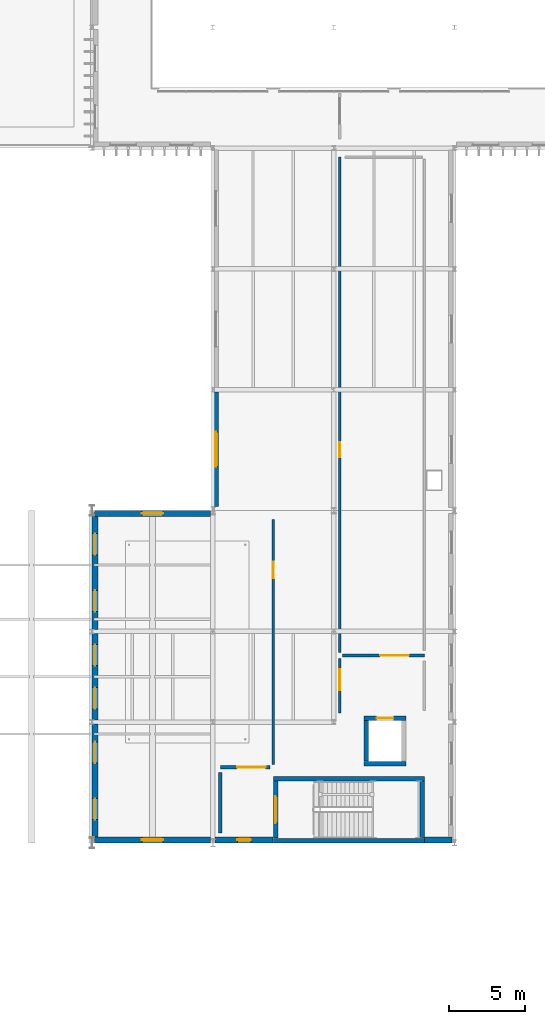
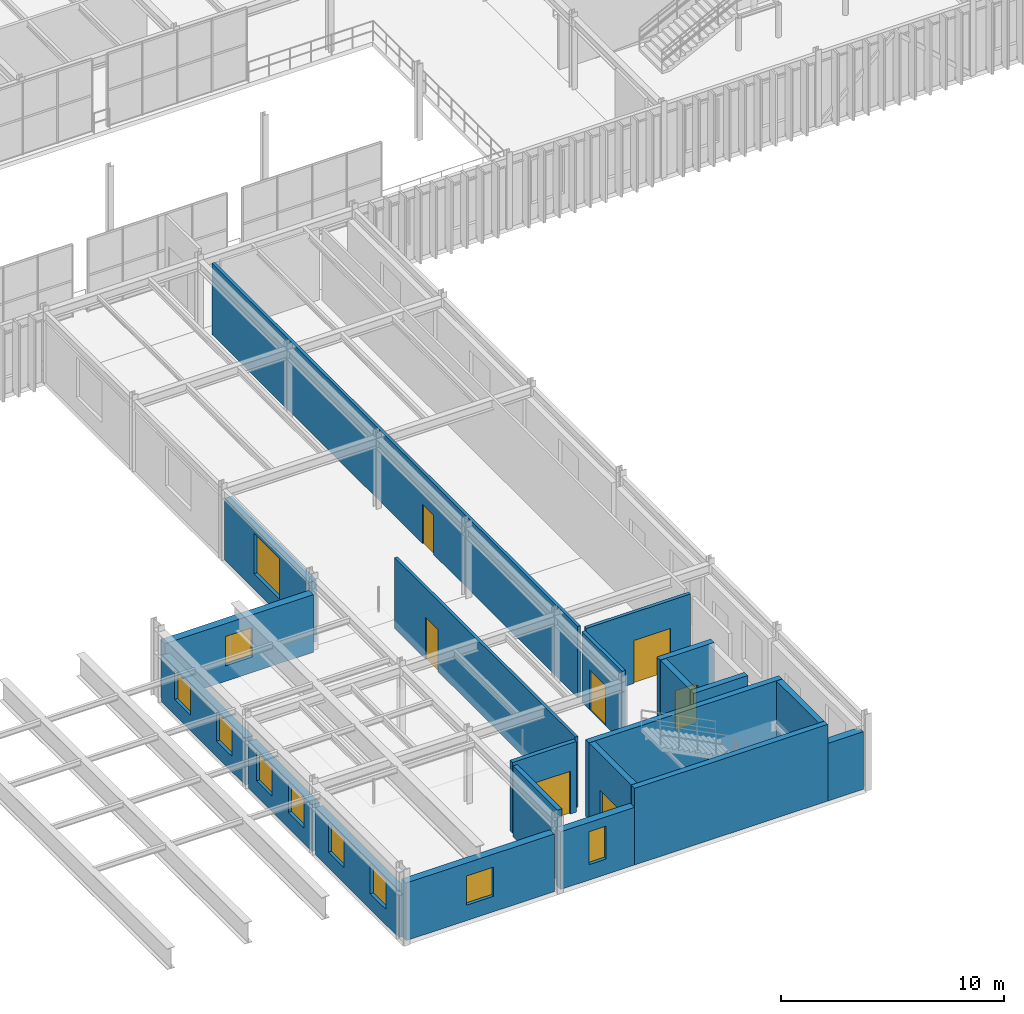
# One storey, part 82 of 122: 21 walls, 10 windows, 7 doors, 17 openings.
"""IFC4 building model written with IfcOpenShell, lengths in metres."""

from ifc_helpers import new_model, si_unit, direction, frame, frame_2d, origin, place, context, subcontext, project, spatial, rectangle, extrude, material, layer, layer_set, type_object, element, fill, save


model = new_model("IFC4")

# Units and contexts
model_context = context("Model", 3, precision=1e-05, world=origin(), true_north=direction((0.0, 1.0)))
body_context = subcontext(model_context, "Body", "Model", "MODEL_VIEW")
ifc_project = project(units=[si_unit("LENGTHUNIT", "METRE"), si_unit("AREAUNIT", "SQUARE_METRE"), si_unit("VOLUMEUNIT", "CUBIC_METRE"), si_unit("PLANEANGLEUNIT", "RADIAN"), si_unit("MASSUNIT", "GRAM", prefix="KILO")], contexts=[model_context])

# Site, building, storey
site_placement = place(None, origin())
site = spatial("IfcSite", under=ifc_project, at=site_placement, CompositionType="ELEMENT")
building_placement = place(site_placement, origin())
building = spatial("IfcBuilding", under=site, at=building_placement, Name="Sundkrona Museum", CompositionType="ELEMENT")
storey_placement = place(building_placement, frame((0.0, 0.0, 5.39990234375)))
storey = spatial("IfcBuildingStorey", under=building, at=storey_placement, Name="L01", CompositionType="ELEMENT", Elevation=5.39990234375)

# Walls
ifc_material_1 = material(Name="Concrete C40/50", Category="concrete")
ifc_layer_1 = layer(ifc_material_1, 0.300048828125)
ifc_layer_set_1 = layer_set([ifc_layer_1], Name="Concrete C40/50")
wall_type_1 = type_object("IfcWallType", Name="W-CORE-300", PredefinedType="SHEAR", material=ifc_layer_set_1)
for number, where, z_axis, x_axis, name in (
    (1, (28.0, 32.14990234375, 0.0), (0.0, 0.0, 1.0), (1.0, 0.0, 0.0), "L01 ST-4 Core Shear Wall South"),
    (2, (28.0, 36.25, 0.0), (0.0, 0.0, 1.0), (1.0, 0.0, 0.0), "L01 ST-4 Core Shear Wall North"),
):
    element("IfcWall", number, at=place(storey_placement, frame(where, z_axis=z_axis, x_axis=x_axis)), inside=storey, type_object=wall_type_1, Name=name, PredefinedType="SHEAR", context=body_context, shape_type="SweptSolid", body=[
        extrude(rectangle(XDim=10.0, YDim=0.300048828125, at=frame_2d((5.0, 0.0))), origin(), (0.0, 0.0, 1.0), 4.2001953125),
    ])

# Wall, opening, door
wall_1_placement = place(storey_placement, frame((28.14990234375, 32.31005859375, 0.0), z_axis=(0.0, 0.0, 1.0), x_axis=(0.0, 1.0, 0.0)))
wall_1 = element("IfcWall", 3, at=wall_1_placement, inside=storey, type_object=wall_type_1, Name="L01 ST-4 Core Shear Wall West", PredefinedType="SHEAR", context=body_context, shape_type="SweptSolid", body=[
    extrude(rectangle(XDim=3.780029296875, YDim=0.300048828125, at=frame_2d((1.89013671875, 0.0))), origin(), (0.0, 0.0, 1.0), 4.2001953125),
])
opening_1_placement = place(wall_1_placement, frame((0.989990234375, 0.0, 0.0)))
opening_1 = element("IfcOpeningElement", 4, at=opening_1_placement, cuts=wall_1, Name="Opening D-FD60", PredefinedType="OPENING", context=body_context, shape_type="SweptSolid", body=[
    extrude(rectangle(XDim=1.800048828125, YDim=2.199951171875, at=frame_2d((0.89990234375, 1.10009765625))), frame((0.0, 0.159912109375, 0.0), z_axis=(0.0, -1.0, 0.0), x_axis=(1.0, 0.0, 0.0)), (0.0, 0.0, 1.0), 0.320068359375),
])
ifc_material_2 = material(Name="Steel S355J2 Fire Door Leaf", Category="steel")
door_type_1 = type_object("IfcDoorType", Name="D-FD60", OperationType="DOUBLE_DOOR_SINGLE_SWING", PredefinedType="DOOR", material=ifc_material_2)
door_1_placement = place(opening_1_placement, origin())
door_1 = element("IfcDoor", 5, at=door_1_placement, inside=storey, type_object=door_type_1, Name="L01 ST-4 Protected Escape Stair Door DR-ST-4-L01", OperationType="DOUBLE_DOOR_SINGLE_SWING", OverallHeight=2.199951171875, OverallWidth=1.800048828125, PredefinedType="DOOR", context=body_context, shape_type="SweptSolid", body=[
    extrude(rectangle(XDim=1.800048828125, YDim=2.199951171875, at=frame_2d((0.89990234375, 1.10009765625))), frame((0.0, 0.02490234375, 0.0), z_axis=(0.0, -1.0, 0.0), x_axis=(1.0, 0.0, 0.0)), (0.0, 0.0, 1.0), 0.050048828125),
])
fill(opening_1, door_1)

# Walls
wall_2_placement = place(storey_placement, frame((37.85009765625, 32.31005859375, 0.0), z_axis=(0.0, 0.0, 1.0), x_axis=(0.0, 1.0, 0.0)))
element("IfcWall", 6, at=wall_2_placement, inside=storey, type_object=wall_type_1, Name="L01 ST-4 Core Shear Wall East", PredefinedType="SHEAR", context=body_context, shape_type="SweptSolid", body=[
    extrude(rectangle(XDim=3.780029296875, YDim=0.300048828125, at=frame_2d((1.89013671875, 0.0))), origin(), (0.0, 0.0, 1.0), 4.2001953125),
])
wall_3_placement = place(storey_placement, frame((34.0, 37.25, 0.0), z_axis=(0.0, 0.0, 1.0), x_axis=(1.0, 0.0, 0.0)))
element("IfcWall", 7, at=wall_3_placement, inside=storey, type_object=wall_type_1, Name="L01 PL-4 Lift Shaft Wall South", PredefinedType="SHEAR", context=body_context, shape_type="SweptSolid", body=[
    extrude(rectangle(XDim=2.800048828125, YDim=0.300048828125, at=frame_2d((1.39990234375, 0.0))), origin(), (0.0, 0.0, 1.0), 4.2001953125),
])

# Wall, opening, door
wall_4_placement = place(storey_placement, frame((34.0, 40.25, 0.0), z_axis=(0.0, 0.0, 1.0), x_axis=(1.0, 0.0, 0.0)))
wall_4 = element("IfcWall", 8, at=wall_4_placement, inside=storey, type_object=wall_type_1, Name="L01 PL-4 Lift Shaft Wall North", PredefinedType="SHEAR", context=body_context, shape_type="SweptSolid", body=[
    extrude(rectangle(XDim=2.800048828125, YDim=0.300048828125, at=frame_2d((1.39990234375, 0.0))), origin(), (0.0, 0.0, 1.0), 4.2001953125),
])
opening_2_placement = place(wall_4_placement, frame((0.85009765625, 0.0, 0.0)))
opening_2 = element("IfcOpeningElement", 9, at=opening_2_placement, cuts=wall_4, Name="Opening LD-01", PredefinedType="OPENING", context=body_context, shape_type="SweptSolid", body=[
    extrude(rectangle(XDim=1.10009765625, YDim=2.14990234375, at=frame_2d((0.550048828125, 1.074951171875))), frame((0.0, 0.159912109375, 0.0), z_axis=(0.0, -1.0, 0.0), x_axis=(1.0, 0.0, 0.0)), (0.0, 0.0, 1.0), 0.320068359375),
])
ifc_material_3 = material(Name="Brushed Stainless Steel Lift Door", Category="steel")
door_type_2 = type_object("IfcDoorType", Name="LD-01", OperationType="SLIDING_TO_LEFT", PredefinedType="DOOR", material=ifc_material_3)
door_2_placement = place(opening_2_placement, origin())
door_2 = element("IfcDoor", 10, at=door_2_placement, inside=storey, type_object=door_type_2, Name="L01 West Pavilion Passenger Lift PL-4 Landing Door DR-LIFT-PL-4-L01", OperationType="SLIDING_TO_LEFT", OverallHeight=2.14990234375, OverallWidth=1.10009765625, PredefinedType="DOOR", context=body_context, shape_type="SweptSolid", body=[
    extrude(rectangle(XDim=1.10009765625, YDim=2.14990234375, at=frame_2d((0.550048828125, 1.074951171875))), frame((0.0, 0.02490234375, 0.0), z_axis=(0.0, -1.0, 0.0), x_axis=(1.0, 0.0, 0.0)), (0.0, 0.0, 1.0), 0.050048828125),
])
fill(opening_2, door_2)

# Wall
wall_5_placement = place(storey_placement, frame((34.14990234375, 37.409912109375, 0.0), z_axis=(0.0, 0.0, 1.0), x_axis=(0.0, 1.0, 0.0)))
element("IfcWall", 11, at=wall_5_placement, inside=storey, type_object=wall_type_1, Name="L01 PL-4 Lift Shaft Wall West", PredefinedType="SHEAR", context=body_context, shape_type="SweptSolid", body=[
    extrude(rectangle(XDim=2.68017578125, YDim=0.300048828125, at=frame_2d((1.340087890625, 0.0))), origin(), (0.0, 0.0, 1.0), 4.2001953125),
])

# Wall, openings, windows
ifc_material_4 = material(Name="Scanian Polychrome Clay Brickwork 390 mm", Category="masonry")
ifc_layer_2 = layer(ifc_material_4, 0.389892578125)
ifc_layer_set_2 = layer_set([ifc_layer_2], Name="Scanian Polychrome Clay Brickwork 390 mm")
wall_type_2 = type_object("IfcWallType", Name="W-EX-390", PredefinedType="SOLIDWALL", material=ifc_layer_set_2)
wall_6_placement = place(storey_placement, frame((16.195068359375, 32.360107421875, 0.0), z_axis=(0.0, 0.0, 1.0), x_axis=(0.0, 1.0, 0.0)))
wall_6 = element("IfcWall", 12, at=wall_6_placement, inside=storey, type_object=wall_type_2, Name="L01 Facade Wall 0209", PredefinedType="SOLIDWALL", context=body_context, shape_type="SweptSolid", body=[
    extrude(rectangle(XDim=7.497802734375, YDim=0.389892578125, at=frame_2d((3.7490234375, 0.0))), origin(), (0.0, 0.0, 1.0), 2.570068359375),
])
opening_3_placement = place(wall_6_placement, frame((1.174560546875, 0.0, 0.85009765625)))
opening_3 = element("IfcOpeningElement", 13, at=opening_3_placement, cuts=wall_6, Name="Opening WN-LB-140x160", PredefinedType="OPENING", context=body_context, shape_type="SweptSolid", body=[
    extrude(rectangle(XDim=1.39990234375, YDim=1.60009765625, at=frame_2d((0.699951171875, 0.800048828125))), frame((0.0, 0.204833984375, 0.0), z_axis=(0.0, -1.0, 0.0), x_axis=(1.0, 0.0, 0.0)), (0.0, 0.0, 1.0), 0.409912109375),
])
opening_4_placement = place(wall_6_placement, frame((4.923583984375, 0.0, 0.85009765625)))
opening_4 = element("IfcOpeningElement", 14, at=opening_4_placement, cuts=wall_6, Name="Opening WN-LB-140x160", PredefinedType="OPENING", context=body_context, shape_type="SweptSolid", body=[
    extrude(rectangle(XDim=1.39990234375, YDim=1.60009765625, at=frame_2d((0.699951171875, 0.800048828125))), frame((0.0, 0.204833984375, 0.0), z_axis=(0.0, -1.0, 0.0), x_axis=(1.0, 0.0, 0.0)), (0.0, 0.0, 1.0), 0.409912109375),
])
ifc_material_5 = material(Name="Triple Low-E Argon Glazing in Bronze-Anodised Aluminium", Category="aluminium")
window_type_1 = type_object("IfcWindowType", Name="WN-LB-140x160", PartitioningType="SINGLE_PANEL", PredefinedType="WINDOW", material=ifc_material_5)
window_1_placement = place(opening_3_placement, origin())
window_1 = element("IfcWindow", 15, at=window_1_placement, inside=storey, type_object=window_type_1, Name="L01 Curatorial study window 1400x1600 WIN-L01-0288", OverallHeight=1.60009765625, OverallWidth=1.39990234375, PartitioningType="SINGLE_PANEL", PredefinedType="WINDOW", context=body_context, shape_type="SweptSolid", body=[
    extrude(rectangle(XDim=1.39990234375, YDim=1.60009765625, at=frame_2d((0.699951171875, 0.800048828125))), frame((0.0, 0.030029296875, 0.0), z_axis=(0.0, -1.0, 0.0), x_axis=(1.0, 0.0, 0.0)), (0.0, 0.0, 1.0), 0.06005859375),
])
fill(opening_3, window_1)
window_2_placement = place(opening_4_placement, origin())
window_2 = element("IfcWindow", 16, at=window_2_placement, inside=storey, type_object=window_type_1, Name="L01 Curatorial study window 1400x1600 WIN-L01-0289", OverallHeight=1.60009765625, OverallWidth=1.39990234375, PartitioningType="SINGLE_PANEL", PredefinedType="WINDOW", context=body_context, shape_type="SweptSolid", body=[
    extrude(rectangle(XDim=1.39990234375, YDim=1.60009765625, at=frame_2d((0.699951171875, 0.800048828125))), frame((0.0, 0.030029296875, 0.0), z_axis=(0.0, -1.0, 0.0), x_axis=(1.0, 0.0, 0.0)), (0.0, 0.0, 1.0), 0.06005859375),
])
fill(opening_4, window_2)

wall_7_placement = place(storey_placement, frame((16.195068359375, 40.14208984375, 0.0), z_axis=(0.0, 0.0, 1.0), x_axis=(0.0, 1.0, 0.0)))
wall_7 = element("IfcWall", 17, at=wall_7_placement, inside=storey, type_object=wall_type_2, Name="L01 Facade Wall 0210", PredefinedType="SOLIDWALL", context=body_context, shape_type="SweptSolid", body=[
    extrude(rectangle(XDim=5.7158203125, YDim=0.389892578125, at=frame_2d((2.85791015625, 0.0))), origin(), (0.0, 0.0, 1.0), 2.570068359375),
])
opening_5_placement = place(wall_7_placement, frame((0.72900390625, 0.0, 0.85009765625)))
opening_5 = element("IfcOpeningElement", 18, at=opening_5_placement, cuts=wall_7, Name="Opening WN-LB-140x160", PredefinedType="OPENING", context=body_context, shape_type="SweptSolid", body=[
    extrude(rectangle(XDim=1.39990234375, YDim=1.60009765625, at=frame_2d((0.699951171875, 0.800048828125))), frame((0.0, 0.204833984375, 0.0), z_axis=(0.0, -1.0, 0.0), x_axis=(1.0, 0.0, 0.0)), (0.0, 0.0, 1.0), 0.409912109375),
])
opening_6_placement = place(wall_7_placement, frame((3.5869140625, 0.0, 0.85009765625)))
opening_6 = element("IfcOpeningElement", 19, at=opening_6_placement, cuts=wall_7, Name="Opening WN-LB-140x160", PredefinedType="OPENING", context=body_context, shape_type="SweptSolid", body=[
    extrude(rectangle(XDim=1.39990234375, YDim=1.60009765625, at=frame_2d((0.699951171875, 0.800048828125))), frame((0.0, 0.204833984375, 0.0), z_axis=(0.0, -1.0, 0.0), x_axis=(1.0, 0.0, 0.0)), (0.0, 0.0, 1.0), 0.409912109375),
])
window_3_placement = place(opening_5_placement, origin())
window_3 = element("IfcWindow", 20, at=window_3_placement, inside=storey, type_object=window_type_1, Name="L01 Curatorial study window 1400x1600 WIN-L01-0290", OverallHeight=1.60009765625, OverallWidth=1.39990234375, PartitioningType="SINGLE_PANEL", PredefinedType="WINDOW", context=body_context, shape_type="SweptSolid", body=[
    extrude(rectangle(XDim=1.39990234375, YDim=1.60009765625, at=frame_2d((0.699951171875, 0.800048828125))), frame((0.0, 0.030029296875, 0.0), z_axis=(0.0, -1.0, 0.0), x_axis=(1.0, 0.0, 0.0)), (0.0, 0.0, 1.0), 0.06005859375),
])
fill(opening_5, window_3)
window_4_placement = place(opening_6_placement, origin())
window_4 = element("IfcWindow", 21, at=window_4_placement, inside=storey, type_object=window_type_1, Name="L01 Curatorial study window 1400x1600 WIN-L01-0291", OverallHeight=1.60009765625, OverallWidth=1.39990234375, PartitioningType="SINGLE_PANEL", PredefinedType="WINDOW", context=body_context, shape_type="SweptSolid", body=[
    extrude(rectangle(XDim=1.39990234375, YDim=1.60009765625, at=frame_2d((0.699951171875, 0.800048828125))), frame((0.0, 0.030029296875, 0.0), z_axis=(0.0, -1.0, 0.0), x_axis=(1.0, 0.0, 0.0)), (0.0, 0.0, 1.0), 0.06005859375),
])
fill(opening_6, window_4)

wall_8_placement = place(storey_placement, frame((16.195068359375, 46.14208984375, 0.0), z_axis=(0.0, 0.0, 1.0), x_axis=(0.0, 1.0, 0.0)))
wall_8 = element("IfcWall", 22, at=wall_8_placement, inside=storey, type_object=wall_type_2, Name="L01 Facade Wall 0211", PredefinedType="SOLIDWALL", context=body_context, shape_type="SweptSolid", body=[
    extrude(rectangle(XDim=7.497802734375, YDim=0.389892578125, at=frame_2d((3.7490234375, 0.0))), origin(), (0.0, 0.0, 1.0), 2.570068359375),
])
opening_7_placement = place(wall_8_placement, frame((1.174560546875, 0.0, 0.85009765625)))
opening_7 = element("IfcOpeningElement", 23, at=opening_7_placement, cuts=wall_8, Name="Opening WN-LB-140x160", PredefinedType="OPENING", context=body_context, shape_type="SweptSolid", body=[
    extrude(rectangle(XDim=1.39990234375, YDim=1.60009765625, at=frame_2d((0.699951171875, 0.800048828125))), frame((0.0, 0.204833984375, 0.0), z_axis=(0.0, -1.0, 0.0), x_axis=(1.0, 0.0, 0.0)), (0.0, 0.0, 1.0), 0.409912109375),
])
opening_8_placement = place(wall_8_placement, frame((4.923583984375, 0.0, 0.85009765625)))
opening_8 = element("IfcOpeningElement", 24, at=opening_8_placement, cuts=wall_8, Name="Opening WN-LB-140x160", PredefinedType="OPENING", context=body_context, shape_type="SweptSolid", body=[
    extrude(rectangle(XDim=1.39990234375, YDim=1.60009765625, at=frame_2d((0.699951171875, 0.800048828125))), frame((0.0, 0.204833984375, 0.0), z_axis=(0.0, -1.0, 0.0), x_axis=(1.0, 0.0, 0.0)), (0.0, 0.0, 1.0), 0.409912109375),
])
window_5_placement = place(opening_7_placement, origin())
window_5 = element("IfcWindow", 25, at=window_5_placement, inside=storey, type_object=window_type_1, Name="L01 Curatorial study window 1400x1600 WIN-L01-0292", OverallHeight=1.60009765625, OverallWidth=1.39990234375, PartitioningType="SINGLE_PANEL", PredefinedType="WINDOW", context=body_context, shape_type="SweptSolid", body=[
    extrude(rectangle(XDim=1.39990234375, YDim=1.60009765625, at=frame_2d((0.699951171875, 0.800048828125))), frame((0.0, 0.030029296875, 0.0), z_axis=(0.0, -1.0, 0.0), x_axis=(1.0, 0.0, 0.0)), (0.0, 0.0, 1.0), 0.06005859375),
])
fill(opening_7, window_5)
window_6_placement = place(opening_8_placement, origin())
window_6 = element("IfcWindow", 26, at=window_6_placement, inside=storey, type_object=window_type_1, Name="L01 Curatorial study window 1400x1600 WIN-L01-0293", OverallHeight=1.60009765625, OverallWidth=1.39990234375, PartitioningType="SINGLE_PANEL", PredefinedType="WINDOW", context=body_context, shape_type="SweptSolid", body=[
    extrude(rectangle(XDim=1.39990234375, YDim=1.60009765625, at=frame_2d((0.699951171875, 0.800048828125))), frame((0.0, 0.030029296875, 0.0), z_axis=(0.0, -1.0, 0.0), x_axis=(1.0, 0.0, 0.0)), (0.0, 0.0, 1.0), 0.06005859375),
])
fill(opening_8, window_6)

# Wall, opening, window
wall_9_placement = place(storey_placement, frame((23.844970703125, 32.195068359375, 0.0), z_axis=(0.0, 0.0, 1.0), x_axis=(-1.0, 0.0, 0.0)))
wall_9 = element("IfcWall", 27, at=wall_9_placement, inside=storey, type_object=wall_type_2, Name="L01 Facade Wall 0212", PredefinedType="SOLIDWALL", context=body_context, shape_type="SweptSolid", body=[
    extrude(rectangle(XDim=7.69091796875, YDim=0.389892578125, at=frame_2d((3.845458984375, 0.0))), origin(), (0.0, 0.0, 1.0), 3.156982421875),
])
opening_9_placement = place(wall_9_placement, frame((3.1455078125, 0.0, 0.85009765625)))
opening_9 = element("IfcOpeningElement", 28, at=opening_9_placement, cuts=wall_9, Name="Opening WN-LB-140x160", PredefinedType="OPENING", context=body_context, shape_type="SweptSolid", body=[
    extrude(rectangle(XDim=1.39990234375, YDim=1.60009765625, at=frame_2d((0.699951171875, 0.800048828125))), frame((0.0, 0.204833984375, 0.0), z_axis=(0.0, -1.0, 0.0), x_axis=(1.0, 0.0, 0.0)), (0.0, 0.0, 1.0), 0.409912109375),
])
window_7_placement = place(opening_9_placement, origin())
window_7 = element("IfcWindow", 29, at=window_7_placement, inside=storey, type_object=window_type_1, Name="L01 Curatorial study window 1400x1600 WIN-L01-0294", OverallHeight=1.60009765625, OverallWidth=1.39990234375, PartitioningType="SINGLE_PANEL", PredefinedType="WINDOW", context=body_context, shape_type="SweptSolid", body=[
    extrude(rectangle(XDim=1.39990234375, YDim=1.60009765625, at=frame_2d((0.699951171875, 0.800048828125))), frame((0.0, 0.030029296875, 0.0), z_axis=(0.0, -1.0, 0.0), x_axis=(1.0, 0.0, 0.0)), (0.0, 0.0, 1.0), 0.06005859375),
])
fill(opening_9, window_7)

wall_10_placement = place(storey_placement, frame((27.989990234375, 32.195068359375, 0.0), z_axis=(0.0, 0.0, 1.0), x_axis=(-1.0, 0.0, 0.0)))
wall_10 = element("IfcWall", 30, at=wall_10_placement, inside=storey, type_object=wall_type_2, Name="L01 Facade Wall 0213", PredefinedType="SOLIDWALL", context=body_context, shape_type="SweptSolid", body=[
    extrude(rectangle(XDim=3.8349609375, YDim=0.389892578125, at=frame_2d((1.91748046875, 0.0))), origin(), (0.0, 0.0, 1.0), 3.156982421875),
])
opening_10_placement = place(wall_10_placement, frame((1.467529296875, 0.0, 0.85009765625)))
opening_10 = element("IfcOpeningElement", 31, at=opening_10_placement, cuts=wall_10, Name="Opening WN-ST-090x180", PredefinedType="OPENING", context=body_context, shape_type="SweptSolid", body=[
    extrude(rectangle(XDim=0.89990234375, YDim=1.800048828125, at=frame_2d((0.449951171875, 0.89990234375))), frame((0.0, 0.204833984375, 0.0), z_axis=(0.0, -1.0, 0.0), x_axis=(1.0, 0.0, 0.0)), (0.0, 0.0, 1.0), 0.409912109375),
])
window_type_2 = type_object("IfcWindowType", Name="WN-ST-090x180", PartitioningType="SINGLE_PANEL", PredefinedType="WINDOW", material=ifc_material_5)
window_8_placement = place(opening_10_placement, origin())
window_8 = element("IfcWindow", 32, at=window_8_placement, inside=storey, type_object=window_type_2, Name="L01 Stair-core avenue daylight slot window 900x1800 WIN-L01-0295", OverallHeight=1.800048828125, OverallWidth=0.89990234375, PartitioningType="SINGLE_PANEL", PredefinedType="WINDOW", context=body_context, shape_type="SweptSolid", body=[
    extrude(rectangle(XDim=0.89990234375, YDim=1.800048828125, at=frame_2d((0.449951171875, 0.89990234375))), frame((0.0, 0.030029296875, 0.0), z_axis=(0.0, -1.0, 0.0), x_axis=(1.0, 0.0, 0.0)), (0.0, 0.0, 1.0), 0.06005859375),
])
fill(opening_10, window_8)

# Wall
wall_11_placement = place(storey_placement, frame((39.843994140625, 32.195068359375, 0.0), z_axis=(0.0, 0.0, 1.0), x_axis=(-1.0, 0.0, 0.0)))
element("IfcWall", 33, at=wall_11_placement, inside=storey, type_object=wall_type_2, Name="L01 Facade Wall 0214", PredefinedType="SOLIDWALL", context=body_context, shape_type="SweptSolid", body=[
    extrude(rectangle(XDim=1.833984375, YDim=0.389892578125, at=frame_2d((0.9169921875, 0.0))), origin(), (0.0, 0.0, 1.0), 3.156982421875),
])

# Wall, opening, window
wall_12_placement = place(storey_placement, frame((16.154052734375, 53.804931640625, 0.0), z_axis=(0.0, 0.0, 1.0), x_axis=(1.0, 0.0, 0.0)))
wall_12 = element("IfcWall", 34, at=wall_12_placement, inside=storey, type_object=wall_type_2, Name="L01 Facade Wall 0215", PredefinedType="SOLIDWALL", context=body_context, shape_type="SweptSolid", body=[
    extrude(rectangle(XDim=7.69091796875, YDim=0.389892578125, at=frame_2d((3.845458984375, 0.0))), origin(), (0.0, 0.0, 1.0), 3.156982421875),
])
opening_11_placement = place(wall_12_placement, frame((3.1455078125, 0.0, 0.85009765625)))
opening_11 = element("IfcOpeningElement", 35, at=opening_11_placement, cuts=wall_12, Name="Opening WN-LB-140x160", PredefinedType="OPENING", context=body_context, shape_type="SweptSolid", body=[
    extrude(rectangle(XDim=1.39990234375, YDim=1.60009765625, at=frame_2d((0.699951171875, 0.800048828125))), frame((0.0, 0.204833984375, 0.0), z_axis=(0.0, -1.0, 0.0), x_axis=(1.0, 0.0, 0.0)), (0.0, 0.0, 1.0), 0.409912109375),
])
window_9_placement = place(opening_11_placement, origin())
window_9 = element("IfcWindow", 36, at=window_9_placement, inside=storey, type_object=window_type_1, Name="L01 Curatorial study window 1400x1600 WIN-L01-0296", OverallHeight=1.60009765625, OverallWidth=1.39990234375, PartitioningType="SINGLE_PANEL", PredefinedType="WINDOW", context=body_context, shape_type="SweptSolid", body=[
    extrude(rectangle(XDim=1.39990234375, YDim=1.60009765625, at=frame_2d((0.699951171875, 0.800048828125))), frame((0.0, 0.030029296875, 0.0), z_axis=(0.0, -1.0, 0.0), x_axis=(1.0, 0.0, 0.0)), (0.0, 0.0, 1.0), 0.06005859375),
])
fill(opening_11, window_9)

wall_13_placement = place(storey_placement, frame((24.195068359375, 54.263916015625, 0.0), z_axis=(0.0, 0.0, 1.0), x_axis=(0.0, 1.0, 0.0)))
wall_13 = element("IfcWall", 37, at=wall_13_placement, inside=storey, type_object=wall_type_2, Name="L01 Facade Wall 0219", PredefinedType="SOLIDWALL", context=body_context, shape_type="SweptSolid", body=[
    extrude(rectangle(XDim=7.593994140625, YDim=0.389892578125, at=frame_2d((3.796875, 0.0))), origin(), (0.0, 0.0, 1.0), 3.3701171875),
])
opening_12_placement = place(wall_13_placement, frame((2.64697265625, 0.0, 0.85009765625)))
opening_12 = element("IfcOpeningElement", 38, at=opening_12_placement, cuts=wall_13, Name="Opening WN-ED-230x220", PredefinedType="OPENING", context=body_context, shape_type="SweptSolid", body=[
    extrude(rectangle(XDim=2.300048828125, YDim=2.199951171875, at=frame_2d((1.14990234375, 1.10009765625))), frame((0.0, 0.204833984375, 0.0), z_axis=(0.0, -1.0, 0.0), x_axis=(1.0, 0.0, 0.0)), (0.0, 0.0, 1.0), 0.409912109375),
])
window_type_3 = type_object("IfcWindowType", Name="WN-ED-230x220", PartitioningType="DOUBLE_PANEL_VERTICAL", PredefinedType="WINDOW", material=ifc_material_5)
window_10_placement = place(opening_12_placement, origin())
window_10 = element("IfcWindow", 39, at=window_10_placement, inside=storey, type_object=window_type_3, Name="L01 Lecture foyer courtyard window 2300x2200 WIN-L01-0303", OverallHeight=2.199951171875, OverallWidth=2.300048828125, PartitioningType="DOUBLE_PANEL_VERTICAL", PredefinedType="WINDOW", context=body_context, shape_type="SweptSolid", body=[
    extrude(rectangle(XDim=2.300048828125, YDim=2.199951171875, at=frame_2d((1.14990234375, 1.10009765625))), frame((0.0, 0.030029296875, 0.0), z_axis=(0.0, -1.0, 0.0), x_axis=(1.0, 0.0, 0.0)), (0.0, 0.0, 1.0), 0.06005859375),
])
fill(opening_12, window_10)

# Wall, opening, door
ifc_material_6 = material(Name="Autoclaved Aerated Masonry 225 mm", Category="masonry")
ifc_layer_3 = layer(ifc_material_6, 0.22509765625)
ifc_layer_set_3 = layer_set([ifc_layer_3], Name="Autoclaved Aerated Masonry 225 mm")
wall_type_3 = type_object("IfcWallType", Name="W-FF-225", PredefinedType="SOLIDWALL", material=ifc_layer_set_3)
wall_14_placement = place(storey_placement, frame((24.5, 37.0, 0.0), z_axis=(0.0, 0.0, 1.0), x_axis=(1.0, 0.0, 0.0)))
wall_14 = element("IfcWall", 40, at=wall_14_placement, inside=storey, type_object=wall_type_3, Name="L01 Partition Core 4 Stair Lobby / Curatorial Library", PredefinedType="SOLIDWALL", context=body_context, shape_type="SweptSolid", body=[
    extrude(rectangle(XDim=3.300048828125, YDim=0.22509765625, at=frame_2d((1.64990234375, 0.0))), origin(), (0.0, 0.0, 1.0), 3.875),
])
opening_13_placement = place(wall_14_placement, frame((1.10009765625, 0.0, 0.0)))
opening_13 = element("IfcOpeningElement", 41, at=opening_13_placement, cuts=wall_14, Name="Opening D-AUD-190", PredefinedType="OPENING", context=body_context, shape_type="SweptSolid", body=[
    extrude(rectangle(XDim=1.89990234375, YDim=2.35009765625, at=frame_2d((0.949951171875, 1.175048828125))), frame((0.0, 0.12255859375, 0.0), z_axis=(0.0, -1.0, 0.0), x_axis=(1.0, 0.0, 0.0)), (0.0, 0.0, 1.0), 0.2451171875),
])
ifc_material_7 = material(Name="Acoustic Oak Fire Door", Category="other")
door_type_3 = type_object("IfcDoorType", Name="D-AUD-190", OperationType="DOUBLE_DOOR_SINGLE_SWING", PredefinedType="DOOR", material=ifc_material_7)
door_3_placement = place(opening_13_placement, origin())
door_3 = element("IfcDoor", 42, at=door_3_placement, inside=storey, type_object=door_type_3, Name="L01 Interior Door DR-ADJ-L01-0086", OperationType="DOUBLE_DOOR_SINGLE_SWING", OverallHeight=2.35009765625, OverallWidth=1.89990234375, PredefinedType="DOOR", context=body_context, shape_type="SweptSolid", body=[
    extrude(rectangle(XDim=1.89990234375, YDim=2.35009765625, at=frame_2d((0.949951171875, 1.175048828125))), frame((0.0, 0.02490234375, 0.0), z_axis=(0.0, -1.0, 0.0), x_axis=(1.0, 0.0, 0.0)), (0.0, 0.0, 1.0), 0.050048828125),
])
fill(opening_13, door_3)

# Wall
wall_15_placement = place(storey_placement, frame((24.5, 32.64990234375, 0.0), z_axis=(0.0, 0.0, 1.0), x_axis=(0.0, 1.0, 0.0)))
element("IfcWall", 43, at=wall_15_placement, inside=storey, type_object=wall_type_3, Name="L01 Core 4 Stair Lobby Enclosure Wall W", PredefinedType="SOLIDWALL", context=body_context, shape_type="SweptSolid", body=[
    extrude(rectangle(XDim=4.0, YDim=0.22509765625, at=frame_2d((2.0, 0.0))), origin(), (0.0, 0.0, 1.0), 3.875),
])

# Wall, opening, door
ifc_material_8 = material(Name="Acoustic Gypsum Partition Board 150 mm", Category="other")
ifc_layer_4 = layer(ifc_material_8, 0.14990234375)
ifc_layer_set_4 = layer_set([ifc_layer_4], Name="Acoustic Gypsum Partition Board 150 mm")
wall_type_4 = type_object("IfcWallType", Name="W-PT-150", PredefinedType="PARTITIONING", material=ifc_layer_set_4)
wall_16_placement = place(storey_placement, frame((28.0, 37.199951171875, 0.0), z_axis=(0.0, 0.0, 1.0), x_axis=(0.0, 1.0, 0.0)))
wall_16 = element("IfcWall", 44, at=wall_16_placement, inside=storey, type_object=wall_type_4, Name="L01 Partition West Cloister Walk / Curatorial Library", PredefinedType="PARTITIONING", context=body_context, shape_type="SweptSolid", body=[
    extrude(rectangle(XDim=16.199951171875, YDim=0.14990234375, at=frame_2d((8.10009765625, 0.0))), origin(), (0.0, 0.0, 1.0), 3.875),
])
opening_14_placement = place(wall_16_placement, frame((12.324462890625, 0.0, 0.0)))
opening_14 = element("IfcOpeningElement", 45, at=opening_14_placement, cuts=wall_16, Name="Opening D-RM-110", PredefinedType="OPENING", context=body_context, shape_type="SweptSolid", body=[
    extrude(rectangle(XDim=1.10009765625, YDim=2.300048828125, at=frame_2d((0.550048828125, 1.14990234375))), frame((0.0, 0.0849609375, 0.0), z_axis=(0.0, -1.0, 0.0), x_axis=(1.0, 0.0, 0.0)), (0.0, 0.0, 1.0), 0.169921875),
])
ifc_material_9 = material(Name="European Oak Door Leaf", Category="other")
door_type_4 = type_object("IfcDoorType", Name="D-RM-110", OperationType="NOTDEFINED", PredefinedType="DOOR", material=ifc_material_9)
door_4_placement = place(opening_14_placement, origin())
door_4 = element("IfcDoor", 46, at=door_4_placement, inside=storey, type_object=door_type_4, Name="L01 Interior Door DR-ADJ-L01-0098", OperationType="SINGLE_SWING_RIGHT", OverallHeight=2.300048828125, OverallWidth=1.10009765625, PredefinedType="DOOR", context=body_context, shape_type="SweptSolid", body=[
    extrude(rectangle(XDim=1.10009765625, YDim=2.300048828125, at=frame_2d((0.550048828125, 1.14990234375))), frame((0.0, 0.02490234375, 0.0), z_axis=(0.0, -1.0, 0.0), x_axis=(1.0, 0.0, 0.0)), (0.0, 0.0, 1.0), 0.050048828125),
])
fill(opening_14, door_4)

wall_17_placement = place(storey_placement, frame((32.39990234375, 44.60009765625, 0.0), z_axis=(0.0, 0.0, 1.0), x_axis=(0.0, 1.0, 0.0)))
wall_17 = element("IfcWall", 47, at=wall_17_placement, inside=storey, type_object=wall_type_4, Name="L01 Partition West Cloister Walk / Curatorial Research Suite", PredefinedType="PARTITIONING", context=body_context, shape_type="SweptSolid", body=[
    extrude(rectangle(XDim=32.7998046875, YDim=0.14990234375, at=frame_2d((16.39990234375, 0.0))), origin(), (0.0, 0.0, 1.0), 3.900146484375),
])
opening_15_placement = place(wall_17_placement, frame((12.920166015625, 0.0, 0.0)))
opening_15 = element("IfcOpeningElement", 48, at=opening_15_placement, cuts=wall_17, Name="Opening D-RM-100", PredefinedType="OPENING", context=body_context, shape_type="SweptSolid", body=[
    extrude(rectangle(XDim=1.0, YDim=2.14990234375, at=frame_2d((0.5, 1.074951171875))), frame((0.0, 0.0849609375, 0.0), z_axis=(0.0, -1.0, 0.0), x_axis=(1.0, 0.0, 0.0)), (0.0, 0.0, 1.0), 0.169921875),
])
door_type_5 = type_object("IfcDoorType", Name="D-RM-100", OperationType="NOTDEFINED", PredefinedType="DOOR", material=ifc_material_9)
door_5_placement = place(opening_15_placement, origin())
door_5 = element("IfcDoor", 49, at=door_5_placement, inside=storey, type_object=door_type_5, Name="L01 Interior Door DR-ADJ-L01-0100", OperationType="SINGLE_SWING_RIGHT", OverallHeight=2.14990234375, OverallWidth=1.0, PredefinedType="DOOR", context=body_context, shape_type="SweptSolid", body=[
    extrude(rectangle(XDim=1.0, YDim=2.14990234375, at=frame_2d((0.5, 1.074951171875))), frame((0.0, 0.02490234375, 0.0), z_axis=(0.0, -1.0, 0.0), x_axis=(1.0, 0.0, 0.0)), (0.0, 0.0, 1.0), 0.050048828125),
])
fill(opening_15, door_5)

ifc_material_10 = material(Name="Fire-rated Gypsum Partition Board 175 mm", Category="other")
ifc_layer_5 = layer(ifc_material_10, 0.175048828125)
ifc_layer_set_5 = layer_set([ifc_layer_5], Name="Fire-rated Gypsum Partition Board 175 mm")
wall_type_5 = type_object("IfcWallType", Name="W-PT-175", PredefinedType="PARTITIONING", material=ifc_layer_set_5)
wall_18_placement = place(storey_placement, frame((32.39990234375, 40.60009765625, 0.0), z_axis=(0.0, 0.0, 1.0), x_axis=(0.0, 1.0, 0.0)))
wall_18 = element("IfcWall", 50, at=wall_18_placement, inside=storey, type_object=wall_type_5, Name="L01 Partition West Pavilion Lift Lobby / West Cloister Walk", PredefinedType="PARTITIONING", context=body_context, shape_type="SweptSolid", body=[
    extrude(rectangle(XDim=3.599853515625, YDim=0.175048828125, at=frame_2d((1.7998046875, 0.0))), origin(), (0.0, 0.0, 1.0), 3.875),
])
opening_16_placement = place(wall_18_placement, frame((1.5, 0.0, 0.0)))
opening_16 = element("IfcOpeningElement", 51, at=opening_16_placement, cuts=wall_18, Name="Opening D-CMP-140", PredefinedType="OPENING", context=body_context, shape_type="SweptSolid", body=[
    extrude(rectangle(XDim=1.39990234375, YDim=2.199951171875, at=frame_2d((0.699951171875, 1.10009765625))), frame((0.0, 0.097412109375, 0.0), z_axis=(0.0, -1.0, 0.0), x_axis=(1.0, 0.0, 0.0)), (0.0, 0.0, 1.0), 0.195068359375),
])
ifc_material_11 = material(Name="Oak-veneered Fire Door", Category="other")
door_type_6 = type_object("IfcDoorType", Name="D-CMP-140", OperationType="DOUBLE_DOOR_SINGLE_SWING", PredefinedType="DOOR", material=ifc_material_11)
door_6_placement = place(opening_16_placement, origin())
door_6 = element("IfcDoor", 52, at=door_6_placement, inside=storey, type_object=door_type_6, Name="L01 Interior Door DR-ADJ-L01-0087", OperationType="DOUBLE_DOOR_SINGLE_SWING", OverallHeight=2.199951171875, OverallWidth=1.39990234375, PredefinedType="DOOR", context=body_context, shape_type="SweptSolid", body=[
    extrude(rectangle(XDim=1.39990234375, YDim=2.199951171875, at=frame_2d((0.699951171875, 1.10009765625))), frame((0.0, 0.02490234375, 0.0), z_axis=(0.0, -1.0, 0.0), x_axis=(1.0, 0.0, 0.0)), (0.0, 0.0, 1.0), 0.050048828125),
])
fill(opening_16, door_6)

wall_19_placement = place(storey_placement, frame((32.60009765625, 44.39990234375, 0.0), z_axis=(0.0, 0.0, 1.0), x_axis=(1.0, 0.0, 0.0)))
wall_19 = element("IfcWall", 53, at=wall_19_placement, inside=storey, type_object=wall_type_5, Name="L01 Partition West Pavilion Lift Lobby / Curatorial Research Suite", PredefinedType="PARTITIONING", context=body_context, shape_type="SweptSolid", body=[
    extrude(rectangle(XDim=5.39990234375, YDim=0.175048828125, at=frame_2d((2.699951171875, 0.0))), origin(), (0.0, 0.0, 1.0), 3.875),
])
opening_17_placement = place(wall_19_placement, frame((2.47509765625, 0.0, 0.0)))
opening_17 = element("IfcOpeningElement", 54, at=opening_17_placement, cuts=wall_19, Name="Opening D-AUD-190", PredefinedType="OPENING", context=body_context, shape_type="SweptSolid", body=[
    extrude(rectangle(XDim=1.89990234375, YDim=2.35009765625, at=frame_2d((0.949951171875, 1.175048828125))), frame((0.0, 0.097412109375, 0.0), z_axis=(0.0, -1.0, 0.0), x_axis=(1.0, 0.0, 0.0)), (0.0, 0.0, 1.0), 0.195068359375),
])
door_7_placement = place(opening_17_placement, origin())
door_7 = element("IfcDoor", 55, at=door_7_placement, inside=storey, type_object=door_type_3, Name="L01 Interior Door DR-ADJ-L01-0088", OperationType="DOUBLE_DOOR_SINGLE_SWING", OverallHeight=2.35009765625, OverallWidth=1.89990234375, PredefinedType="DOOR", context=body_context, shape_type="SweptSolid", body=[
    extrude(rectangle(XDim=1.89990234375, YDim=2.35009765625, at=frame_2d((0.949951171875, 1.175048828125))), frame((0.0, 0.02490234375, 0.0), z_axis=(0.0, -1.0, 0.0), x_axis=(1.0, 0.0, 0.0)), (0.0, 0.0, 1.0), 0.050048828125),
])
fill(opening_17, door_7)

save(model, "model.ifc")
